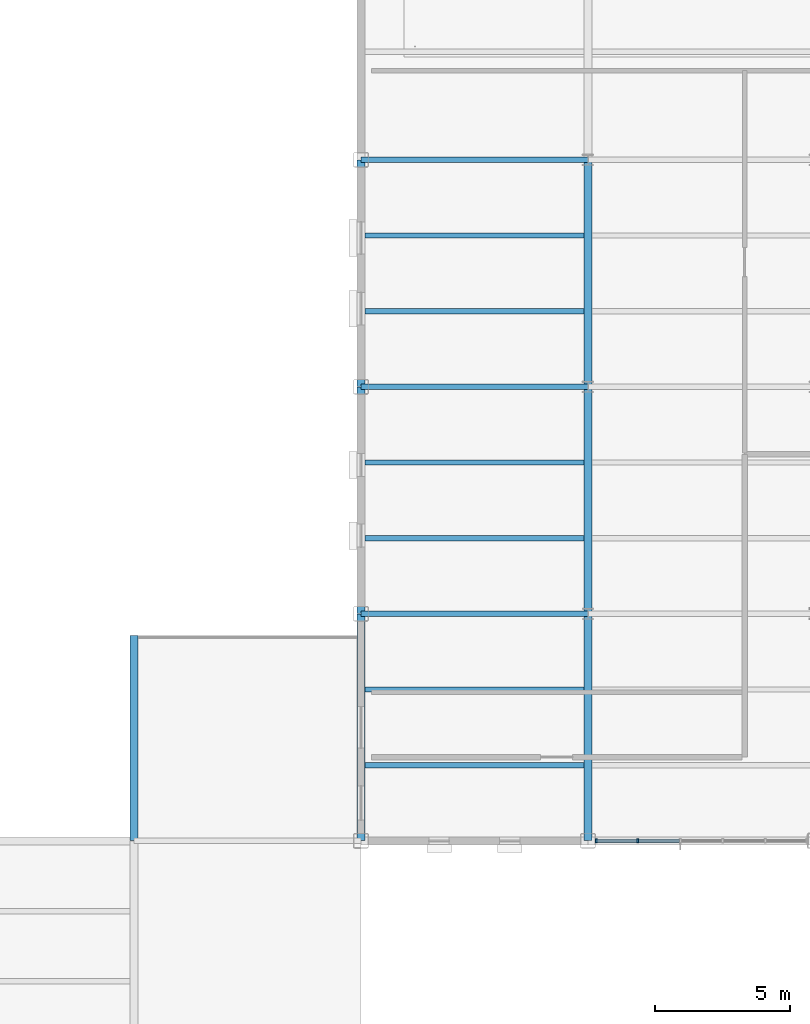
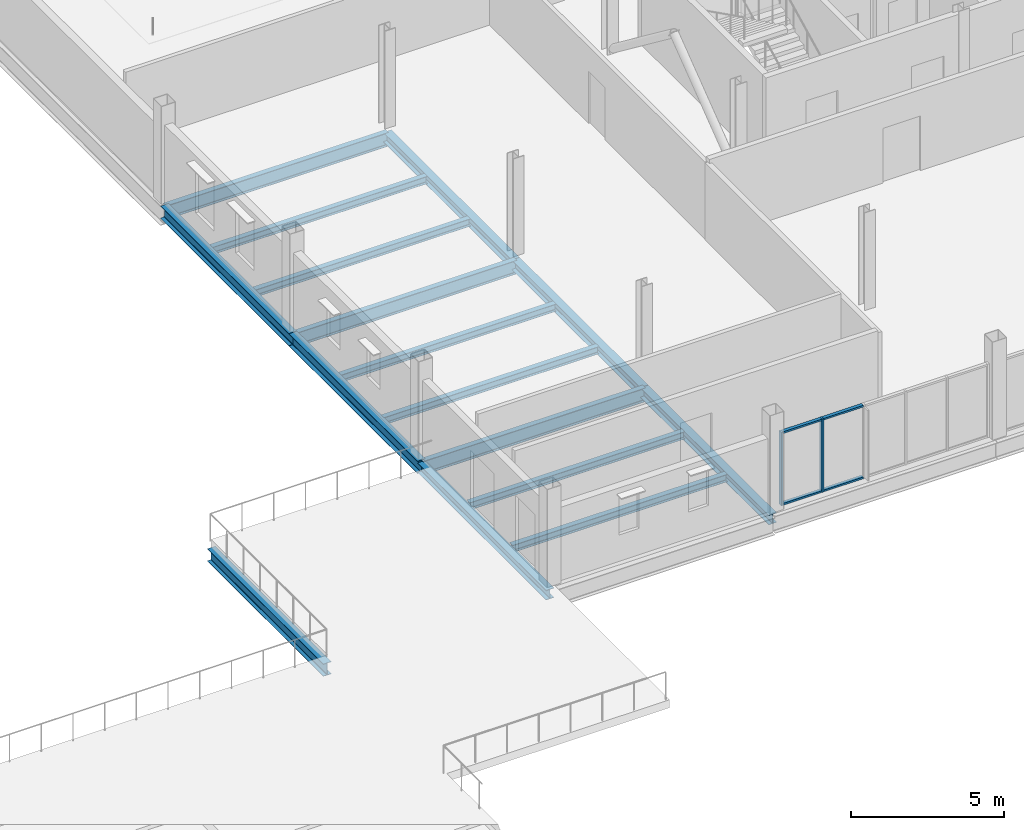
# One storey, part 38 of 77: 16 beams, 6 members, 1 element without a shape of its own.
"""IFC4 building model written with IfcOpenShell, lengths in metres."""

from ifc_helpers import new_model, si_unit, direction, frame, origin, origin_2d, place, context, subcontext, project, spatial, rectangle, i_section, extrude, material, layer, layer_set, material_profile, profile_set, type_object, element, aggregate, save


model = new_model("IFC4")

# Units and contexts
model_context = context("Model", 3, precision=1e-05, world=origin(), true_north=direction((0.0, 1.0)))
body_context = subcontext(model_context, "Body", "Model", "MODEL_VIEW")
ifc_project = project(units=[si_unit("LENGTHUNIT", "METRE"), si_unit("AREAUNIT", "SQUARE_METRE"), si_unit("VOLUMEUNIT", "CUBIC_METRE"), si_unit("PLANEANGLEUNIT", "RADIAN"), si_unit("MASSUNIT", "GRAM", prefix="KILO")], contexts=[model_context])

# Site, building, storey
site_placement = place(None, origin())
site = spatial("IfcSite", under=ifc_project, at=site_placement, CompositionType="ELEMENT")
building_placement = place(site_placement, origin())
building = spatial("IfcBuilding", under=site, at=building_placement, Name="Yukiwa Park Conservatory and Herbarium", CompositionType="ELEMENT")
storey_placement = place(building_placement, frame((0.0, 0.0, 13.199951171875)))
storey = spatial("IfcBuildingStorey", under=building, at=storey_placement, Name="L03", CompositionType="ELEMENT", Elevation=13.199951171875)

# Beams
ifc_material_1 = material(Name="Steel Q355D", Category="steel")
ifc_material_profile_1 = material_profile(ifc_material_1, i_section(OverallWidth=0.300048828125, OverallDepth=0.389892578125, WebThickness=0.010009765625, FlangeThickness=0.01611328125, FilletRadius=0.02001953125, at=origin_2d()), Name="HM 390x300x10x16")
ifc_profile_set_1 = profile_set([ifc_material_profile_1], Name="Steel Q355D")
beam_type_1 = type_object("IfcBeamType", Name="BM-GRD-HM390", PredefinedType="BEAM", material=ifc_profile_set_1)
for number, where, z_axis, x_axis, name in (
    (1, (116.39990234375, 78.006103515625, -0.514892578125), (0.0, 1.0, 0.0), (-1.0, 0.0, 0.0), "L03 grid girder Y-89"),
    (2, (124.800048828125, 78.006103515625, -0.4599609375), (0.0, 1.0, 0.0), (-1.0, 0.0, 0.0), "L03 grid girder Y-93"),
    (3, (124.800048828125, 86.406005859375, -0.4599609375), (0.0, 1.0, 0.0), (-1.0, 0.0, 0.0), "L03 grid girder Y-94"),
):
    element("IfcBeam", number, at=place(storey_placement, frame(where, z_axis=z_axis, x_axis=x_axis)), inside=storey, type_object=beam_type_1, Name=name, PredefinedType="BEAM", context=body_context, shape_type="SweptSolid", body=[
        extrude(i_section(OverallWidth=0.300048828125, OverallDepth=0.389892578125, WebThickness=0.010009765625, FlangeThickness=0.01611328125, FilletRadius=0.02001953125, at=origin_2d()), origin(), (0.0, 0.0, 1.0), 8.387939453125),
    ])
beam_1_placement = place(storey_placement, frame((124.800048828125, 94.805908203125, -0.4599609375), z_axis=(0.0, 1.0, 0.0), x_axis=(-1.0, 0.0, 0.0)))
element("IfcBeam", 4, at=beam_1_placement, inside=storey, type_object=beam_type_1, Name="L03 grid girder Y-95", PredefinedType="BEAM", context=body_context, shape_type="SweptSolid", body=[
    extrude(i_section(OverallWidth=0.300048828125, OverallDepth=0.389892578125, WebThickness=0.010009765625, FlangeThickness=0.01611328125, FilletRadius=0.02001953125, at=origin_2d()), origin(), (0.0, 0.0, 1.0), 8.38818359375),
])
ifc_material_2 = material(Name="Steel Q355D", Category="steel")
ifc_material_profile_2 = material_profile(ifc_material_2, i_section(OverallWidth=0.199951171875, OverallDepth=0.550048828125, WebThickness=0.010009765625, FlangeThickness=0.01611328125, FilletRadius=0.02001953125, at=origin_2d()), Name="HN 550x200x10x16")
ifc_profile_set_2 = profile_set([ifc_material_profile_2], Name="Steel Q355D")
beam_type_2 = type_object("IfcBeamType", Name="BM-GRD-HN550", PredefinedType="BEAM", material=ifc_profile_set_2)
for number, where, z_axis, x_axis, name in (
    (5, (116.406005859375, 86.39990234375, -0.5400390625), (1.0, 0.0, 0.0), (0.0, 1.0, 0.0), "L03 grid beam X-36"),
    (6, (116.406005859375, 94.800048828125, -0.5400390625), (1.0, 0.0, 0.0), (0.0, 1.0, 0.0), "L03 grid beam X-42"),
    (7, (116.406005859375, 103.199951171875, -0.5400390625), (1.0, 0.0, 0.0), (0.0, 1.0, 0.0), "L03 grid beam X-48"),
):
    element("IfcBeam", number, at=place(storey_placement, frame(where, z_axis=z_axis, x_axis=x_axis)), inside=storey, type_object=beam_type_2, Name=name, PredefinedType="BEAM", context=body_context, shape_type="SweptSolid", body=[
        extrude(i_section(OverallWidth=0.199951171875, OverallDepth=0.550048828125, WebThickness=0.010009765625, FlangeThickness=0.01611328125, FilletRadius=0.02001953125, at=origin_2d()), origin(), (0.0, 0.0, 1.0), 8.387939453125),
    ])
ifc_material_3 = material(Name="Steel Q355D", Category="steel")
ifc_material_profile_3 = material_profile(ifc_material_3, i_section(OverallWidth=0.199951171875, OverallDepth=0.2939453125, WebThickness=0.008056640625, FlangeThickness=0.011962890625, FilletRadius=0.01806640625, at=origin_2d()), Name="HM 294x200x8x12")
ifc_profile_set_3 = profile_set([ifc_material_profile_3], Name="Steel Q355D")
beam_type_3 = type_object("IfcBeamType", Name="BM-JST-HM294", PredefinedType="JOIST", material=ifc_profile_set_3)
for number, where, z_axis, x_axis, name in (
    (8, (116.5458984375, 80.800048828125, -0.411865234375), (1.0, 0.0, 0.0), (0.0, 1.0, 0.0), "L03 composite floor joist 45"),
    (9, (116.5458984375, 83.60009765625, -0.411865234375), (1.0, 0.0, 0.0), (0.0, 1.0, 0.0), "L03 composite floor joist 46"),
    (10, (116.5458984375, 89.199951171875, -0.411865234375), (1.0, 0.0, 0.0), (0.0, 1.0, 0.0), "L03 composite floor joist 47"),
    (11, (116.5458984375, 92.0, -0.411865234375), (1.0, 0.0, 0.0), (0.0, 1.0, 0.0), "L03 composite floor joist 48"),
    (12, (116.5458984375, 97.60009765625, -0.411865234375), (1.0, 0.0, 0.0), (0.0, 1.0, 0.0), "L03 composite floor joist 49"),
    (13, (116.5458984375, 100.39990234375, -0.411865234375), (1.0, 0.0, 0.0), (0.0, 1.0, 0.0), "L03 composite floor joist 50"),
):
    element("IfcBeam", number, at=place(storey_placement, frame(where, z_axis=z_axis, x_axis=x_axis)), inside=storey, type_object=beam_type_3, Name=name, PredefinedType="JOIST", context=body_context, shape_type="SweptSolid", body=[
        extrude(i_section(OverallWidth=0.199951171875, OverallDepth=0.2939453125, WebThickness=0.008056640625, FlangeThickness=0.011962890625, FilletRadius=0.01806640625, at=origin_2d()), origin(), (0.0, 0.0, 1.0), 8.108154296875),
    ])
ifc_material_4 = material(Name="Steel Q355D", Category="steel")
ifc_material_profile_4 = material_profile(ifc_material_4, i_section(OverallWidth=0.300048828125, OverallDepth=0.493896484375, WebThickness=0.010986328125, FlangeThickness=0.014892578125, FilletRadius=0.02392578125, at=origin_2d()), Name="HM 494x300x11x15")
ifc_profile_set_4 = profile_set([ifc_material_profile_4], Name="Steel Q355D")
beam_type_4 = type_object("IfcBeamType", Name="BM-SPN-HN450", PredefinedType="SPANDREL", material=ifc_profile_set_4)
beam_2_placement = place(storey_placement, frame((108.0, 78.006103515625, -0.56689453125), z_axis=(0.0, 1.0, 0.0), x_axis=(-1.0, 0.0, 0.0)))
element("IfcBeam", 14, at=beam_2_placement, inside=storey, type_object=beam_type_4, Name="L03 spandrel girder Y-88", PredefinedType="SPANDREL", context=body_context, shape_type="SweptSolid", body=[
    extrude(i_section(OverallWidth=0.300048828125, OverallDepth=0.493896484375, WebThickness=0.010986328125, FlangeThickness=0.014892578125, FilletRadius=0.02392578125, at=origin_2d()), origin(), (0.0, 0.0, 1.0), 7.587890625),
])
ifc_material_5 = material(Name="Steel Q355D", Category="steel")
ifc_material_profile_5 = material_profile(ifc_material_5, i_section(OverallWidth=0.300048828125, OverallDepth=0.5, WebThickness=0.010986328125, FlangeThickness=0.01806640625, FilletRadius=0.02392578125, at=origin_2d()), Name="HM 500x300x11x18")
ifc_profile_set_5 = profile_set([ifc_material_profile_5], Name="Steel Q355D")
beam_type_5 = type_object("IfcBeamType", Name="BM-SPN-HN500", PredefinedType="SPANDREL", material=ifc_profile_set_5)
beam_3_placement = place(storey_placement, frame((116.39990234375, 86.406005859375, -0.514892578125), z_axis=(0.0, 1.0, 0.0), x_axis=(-1.0, 0.0, 0.0)))
element("IfcBeam", 15, at=beam_3_placement, inside=storey, type_object=beam_type_5, Name="L03 spandrel girder Y-90", PredefinedType="SPANDREL", context=body_context, shape_type="SweptSolid", body=[
    extrude(i_section(OverallWidth=0.300048828125, OverallDepth=0.5, WebThickness=0.010986328125, FlangeThickness=0.01806640625, FilletRadius=0.02392578125, at=origin_2d()), origin(), (0.0, 0.0, 1.0), 8.387939453125),
])
beam_4_placement = place(storey_placement, frame((116.39990234375, 94.805908203125, -0.514892578125), z_axis=(0.0, 1.0, 0.0), x_axis=(-1.0, 0.0, 0.0)))
element("IfcBeam", 16, at=beam_4_placement, inside=storey, type_object=beam_type_5, Name="L03 spandrel girder Y-91", PredefinedType="SPANDREL", context=body_context, shape_type="SweptSolid", body=[
    extrude(i_section(OverallWidth=0.300048828125, OverallDepth=0.5, WebThickness=0.010986328125, FlangeThickness=0.01806640625, FilletRadius=0.02392578125, at=origin_2d()), origin(), (0.0, 0.0, 1.0), 8.38818359375),
])

# Curtain wall, members
ifc_material_6 = material(Name="Triple Low-E Insulated Glass", Category="glass")
ifc_layer = layer(ifc_material_6, 0.199951171875)
ifc_layer_set = layer_set([ifc_layer], Name="Triple Low-E Insulated Glass")
curtain_wall_type = type_object("IfcCurtainWallType", Name="CW-VISITOR-1600", PredefinedType="NOTDEFINED", material=ifc_layer_set)
curtain_wall_placement = place(storey_placement, origin())
curtain_wall = element("IfcCurtainWall", 17, at=curtain_wall_placement, inside=storey, type_object=curtain_wall_type, Name="L03 unitised curtain wall CW-L03-068", PredefinedType="NOTDEFINED")
ifc_material_7 = material(Name="Anodised Aluminium", Category="aluminium")
member_type_1 = type_object("IfcMemberType", Name="MB-CW-MUL-70X150", PredefinedType="MULLION", material=ifc_material_7)
member_1_placement = place(storey_placement, frame((125.110107421875, 78.0, 0.0), z_axis=(0.0, 0.0, 1.0), x_axis=(1.0, 0.0, 0.0)))
member_1 = element("IfcMember", 18, at=member_1_placement, type_object=member_type_1, Name="CW-L03-068 mullion 1", PredefinedType="MULLION", context=body_context, shape_type="SweptSolid", body=[
    extrude(rectangle(XDim=0.070068359375, YDim=0.14990234375, at=origin_2d()), origin(), (0.0, 0.0, 1.0), 2.927978515625),
])
member_2_placement = place(storey_placement, frame((126.64501953125, 78.0, 0.0), z_axis=(0.0, 0.0, 1.0), x_axis=(1.0, 0.0, 0.0)))
member_2 = element("IfcMember", 19, at=member_2_placement, type_object=member_type_1, Name="CW-L03-068 mullion 2", PredefinedType="MULLION", context=body_context, shape_type="SweptSolid", body=[
    extrude(rectangle(XDim=0.070068359375, YDim=0.14990234375, at=origin_2d()), origin(), (0.0, 0.0, 1.0), 2.927978515625),
])
ifc_material_8 = material(Name="Anodised Aluminium", Category="aluminium")
member_type_2 = type_object("IfcMemberType", Name="MB-CW-TRN-70X130", PredefinedType="USERDEFINED", material=ifc_material_8)
member_3_placement = place(storey_placement, frame((125.860107421875, 78.0, 0.0), z_axis=(0.0, 0.0, 1.0), x_axis=(1.0, 0.0, 0.0)))
member_3 = element("IfcMember", 20, at=member_3_placement, type_object=member_type_2, Name="CW-L03-068 transom 1.1", ObjectType="TRANSOM", PredefinedType="USERDEFINED", context=body_context, shape_type="SweptSolid", body=[
    extrude(rectangle(XDim=1.5, YDim=0.1298828125, at=origin_2d()), origin(), (0.0, 0.0, 1.0), 0.070068359375),
])
member_4_placement = place(storey_placement, frame((125.860107421875, 78.0, 2.85791015625), z_axis=(0.0, 0.0, 1.0), x_axis=(1.0, 0.0, 0.0)))
member_4 = element("IfcMember", 21, at=member_4_placement, type_object=member_type_2, Name="CW-L03-068 transom 1.2", ObjectType="TRANSOM", PredefinedType="USERDEFINED", context=body_context, shape_type="SweptSolid", body=[
    extrude(rectangle(XDim=1.5, YDim=0.1298828125, at=origin_2d()), origin(), (0.0, 0.0, 1.0), 0.070068359375),
])
member_5_placement = place(storey_placement, frame((127.429931640625, 78.0, 0.0), z_axis=(0.0, 0.0, 1.0), x_axis=(1.0, 0.0, 0.0)))
member_5 = element("IfcMember", 22, at=member_5_placement, type_object=member_type_2, Name="CW-L03-068 transom 2.1", ObjectType="TRANSOM", PredefinedType="USERDEFINED", context=body_context, shape_type="SweptSolid", body=[
    extrude(rectangle(XDim=1.5, YDim=0.1298828125, at=origin_2d()), origin(), (0.0, 0.0, 1.0), 0.070068359375),
])
member_6_placement = place(storey_placement, frame((127.429931640625, 78.0, 2.85791015625), z_axis=(0.0, 0.0, 1.0), x_axis=(1.0, 0.0, 0.0)))
member_6 = element("IfcMember", 23, at=member_6_placement, type_object=member_type_2, Name="CW-L03-068 transom 2.2", ObjectType="TRANSOM", PredefinedType="USERDEFINED", context=body_context, shape_type="SweptSolid", body=[
    extrude(rectangle(XDim=1.5, YDim=0.1298828125, at=origin_2d()), origin(), (0.0, 0.0, 1.0), 0.070068359375),
])
aggregate(curtain_wall, [member_1, member_2, member_3, member_4, member_5, member_6])

save(model, "model.ifc")
